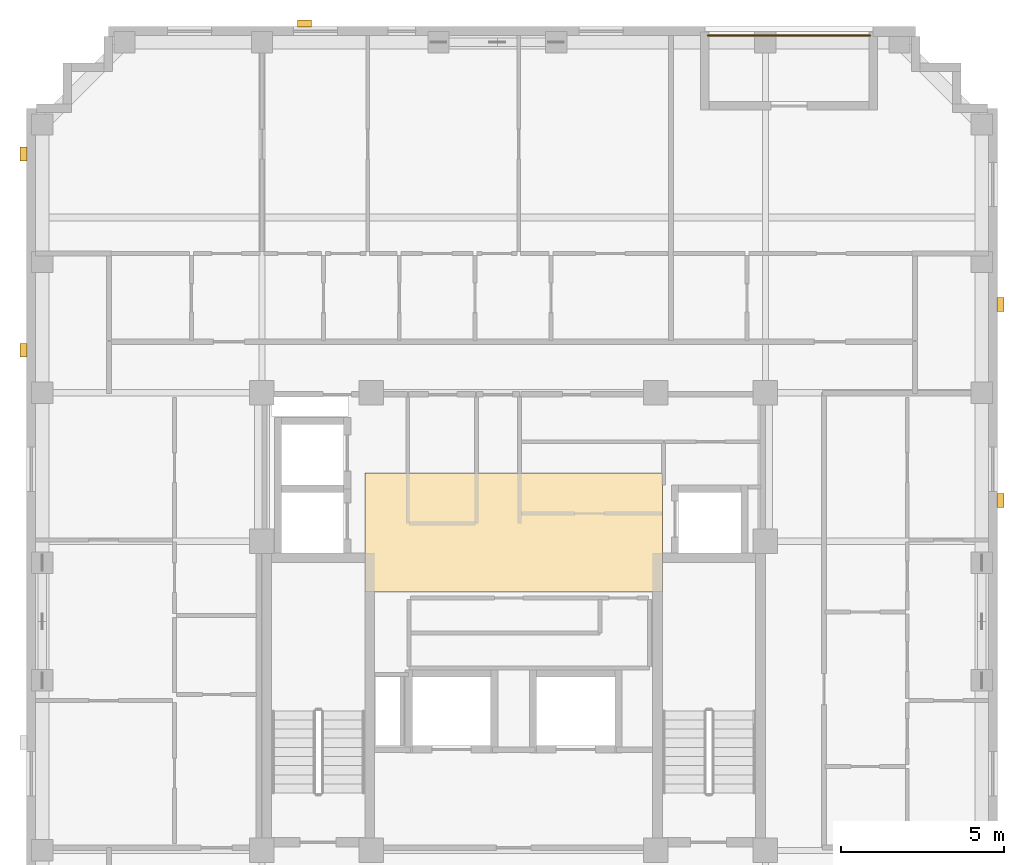
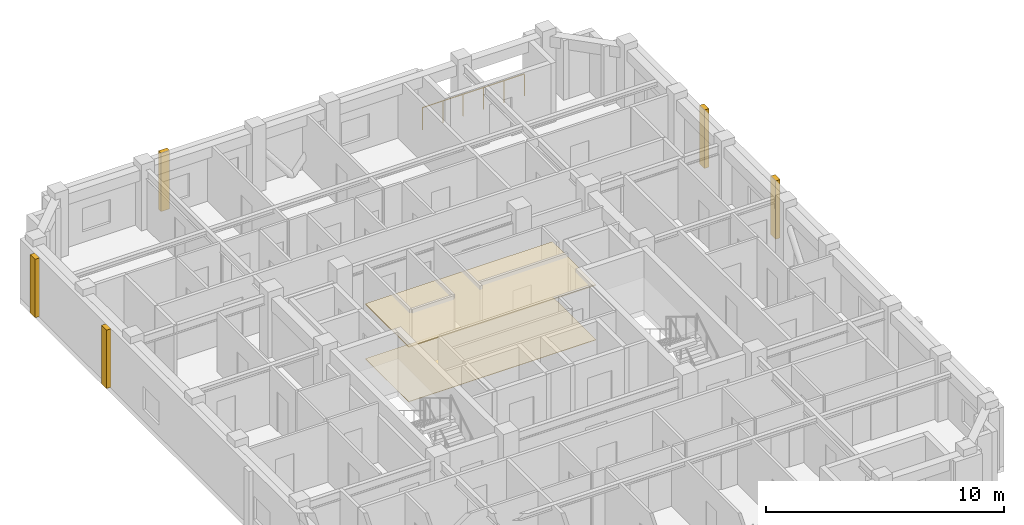
# One storey, part 11 of 11: 7 coverings, 1 railing.
"""IFC4 building model written with IfcOpenShell, lengths in metres."""

from ifc_helpers import new_model, si_unit, derived_unit, direction, frame, origin, origin_2d, place, context, subcontext, project, spatial, polyline, rectangle, circle, outline, extrude, material, layer, layer_set, type_object, element, save


model = new_model("IFC4")

# Units and contexts
model_context = context("Model", 3, precision=1e-05, world=origin(), true_north=direction((0.0, 1.0)))
body_context = subcontext(model_context, "Body", "Model", "MODEL_VIEW")
ifc_project = project(units=[si_unit("LENGTHUNIT", "METRE"), si_unit("AREAUNIT", "SQUARE_METRE"), si_unit("VOLUMEUNIT", "CUBIC_METRE"), si_unit("PLANEANGLEUNIT", "RADIAN"), si_unit("MASSUNIT", "GRAM", prefix="KILO"), derived_unit("THERMALTRANSMITTANCEUNIT", [(si_unit("MASSUNIT", "GRAM", prefix="KILO"), 1), (si_unit("TIMEUNIT", "SECOND"), -3), (si_unit("THERMODYNAMICTEMPERATUREUNIT", "KELVIN"), -1)])], contexts=[model_context])

# Site, building, storey
site_placement = place(None, origin())
site = spatial("IfcSite", under=ifc_project, at=site_placement, CompositionType="ELEMENT")
building_placement = place(site_placement, origin())
building = spatial("IfcBuilding", under=site, at=building_placement, Name="Korrvale Station Residences", CompositionType="ELEMENT")
storey_placement = place(building_placement, frame((0.0, 0.0, 258.10009765625)))
storey = spatial("IfcBuildingStorey", under=building, at=storey_placement, Name="L75", CompositionType="ELEMENT", Elevation=258.10009765625)

# Coverings
ifc_material_1 = material(Name="Perforated acoustic mineral-fibre suspended ceiling", Category="gypsum")
ifc_layer_1 = layer(ifc_material_1, 0.050048828125, Name="Perforated acoustic mineral-fibre suspended ceiling")
ifc_layer_set_1 = layer_set([ifc_layer_1], Name="Perforated acoustic mineral-fibre suspended ceiling")
covering_type_1 = type_object("IfcCoveringType", Name="COV-CLG-AC60", PredefinedType="CEILING", material=ifc_layer_set_1)
covering_1_placement = place(storey_placement, frame((0.0, 0.0, 2.7998046875)))
element("IfcCovering", 1, at=covering_1_placement, inside=storey, type_object=covering_type_1, Name="L75 Elevator Lobby Acoustic Ceiling", PredefinedType="CEILING", context=body_context, shape_type="SweptSolid", body=[
    extrude(outline(polyline([(20.949951171875, 22.89990234375), (30.050048828125, 22.89990234375), (30.050048828125, 26.550048828125), (20.949951171875, 26.550048828125), (20.949951171875, 22.89990234375)])), origin(), (0.0, 0.0, 1.0), 0.050048828125),
])
ifc_material_2 = material(Name="Polished quartz-terrazzo lobby flooring", Category="masonry")
ifc_layer_2 = layer(ifc_material_2, 0.02001953125, Name="Polished quartz-terrazzo lobby flooring")
ifc_layer_set_2 = layer_set([ifc_layer_2], Name="Polished quartz-terrazzo lobby flooring")
covering_type_2 = type_object("IfcCoveringType", Name="COV-FLR-TER20", PredefinedType="FLOORING", material=ifc_layer_set_2)
covering_2_placement = place(storey_placement, origin())
element("IfcCovering", 2, at=covering_2_placement, inside=storey, type_object=covering_type_2, Name="L75 Elevator Lobby Terrazzo Flooring", PredefinedType="FLOORING", context=body_context, shape_type="SweptSolid", body=[
    extrude(outline(polyline([(20.949951171875, 22.89990234375), (30.050048828125, 22.89990234375), (30.050048828125, 26.550048828125), (20.949951171875, 26.550048828125), (20.949951171875, 22.89990234375)])), origin(), (0.0, 0.0, 1.0), 0.02001953125),
])
ifc_material_3 = material(Name="Architectural precast concrete C45/55", Category="concrete")
ifc_layer_3 = layer(ifc_material_3, 0.219970703125, Name="Architectural precast concrete C45/55")
ifc_layer_set_3 = layer_set([ifc_layer_3], Name="Architectural precast concrete C45/55")
covering_type_3 = type_object("IfcCoveringType", Name="COV-PIER-400", PredefinedType="CLADDING", material=ifc_layer_set_3)
for number, where, z_axis, x_axis, name in (
    (3, (19.10009765625, 40.2900390625, 0.02490234375), (0.0, 0.0, 1.0), (1.0, 0.0, 0.0), "L75 Architectural Precast Facade Pier 01"),
    (4, (10.510009765625, 30.300048828125, 0.02490234375), (0.0, 0.0, 1.0), (0.0, 1.0, 0.0), "L75 Architectural Precast Facade Pier 04"),
    (5, (10.510009765625, 36.300048828125, 0.02490234375), (0.0, 0.0, 1.0), (0.0, 1.0, 0.0), "L75 Architectural Precast Facade Pier 05"),
    (6, (40.389892578125, 31.699951171875, 0.02490234375), (0.0, 0.0, 1.0), (0.0, 1.0, 0.0), "L75 Architectural Precast Facade Pier 06"),
    (7, (40.389892578125, 25.699951171875, 0.02490234375), (0.0, 0.0, 1.0), (0.0, 1.0, 0.0), "L75 Architectural Precast Facade Pier 07"),
):
    element("IfcCovering", number, at=place(storey_placement, frame(where, z_axis=z_axis, x_axis=x_axis)), inside=storey, type_object=covering_type_3, Name=name, PredefinedType="CLADDING", context=body_context, shape_type="SweptSolid", body=[
        extrude(rectangle(XDim=0.419921875, YDim=0.219970703125, at=origin_2d()), origin(), (0.0, 0.0, 1.0), 3.0),
    ])

# Railing
ifc_material_4 = material(Name="Powder-coated aluminium picket loggia guard", Category="aluminium")
railing_type = type_object("IfcRailingType", Name="RLG-BAL-1150", PredefinedType="GUARDRAIL", material=ifc_material_4)
railing_placement = place(storey_placement, frame((31.449951171875, 39.929931640625, 0.0)))
element("IfcRailing", 8, at=railing_placement, inside=storey, type_object=railing_type, Name="L75 Recessed Loggia Guardrail BAL-L75-N1", PredefinedType="GUARDRAIL", context=body_context, shape_type="SweptSolid", body=[
    extrude(circle(Radius=0.02392578125, at=origin_2d()), frame((0.0, 0.0, 1.1259765625), z_axis=(1.0, 0.0, 0.0), x_axis=(0.0, 1.0, 0.0)), (0.0, 0.0, 1.0), 4.949951171875),
    extrude(circle(Radius=0.02099609375, at=origin_2d()), origin(), (0.0, 0.0, 1.0), 1.101806640625),
    extrude(circle(Radius=0.02099609375, at=origin_2d()), frame((0.989990234375, 0.0, 0.0)), (0.0, 0.0, 1.0), 1.101806640625),
    extrude(circle(Radius=0.02099609375, at=origin_2d()), frame((1.97998046875, 0.0, 0.0)), (0.0, 0.0, 1.0), 1.101806640625),
    extrude(circle(Radius=0.02099609375, at=origin_2d()), frame((2.969970703125, 0.0, 0.0)), (0.0, 0.0, 1.0), 1.101806640625),
    extrude(circle(Radius=0.02099609375, at=origin_2d()), frame((3.9599609375, 0.0, 0.0)), (0.0, 0.0, 1.0), 1.101806640625),
    extrude(circle(Radius=0.02099609375, at=origin_2d()), frame((4.949951171875, 0.0, 0.0)), (0.0, 0.0, 1.0), 1.101806640625),
])

save(model, "model.ifc")
